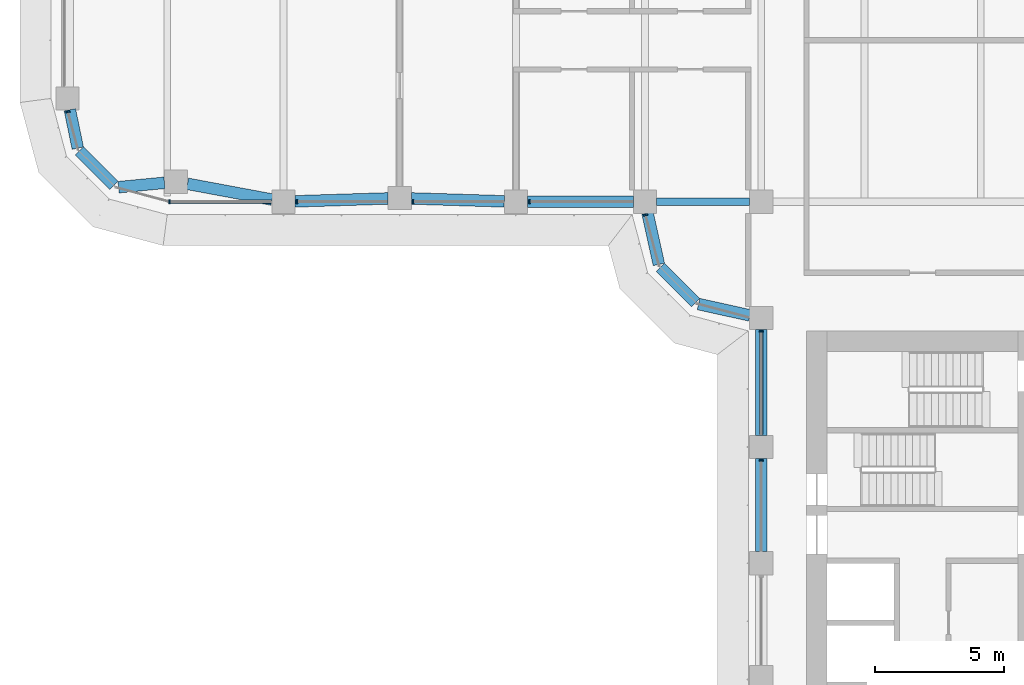
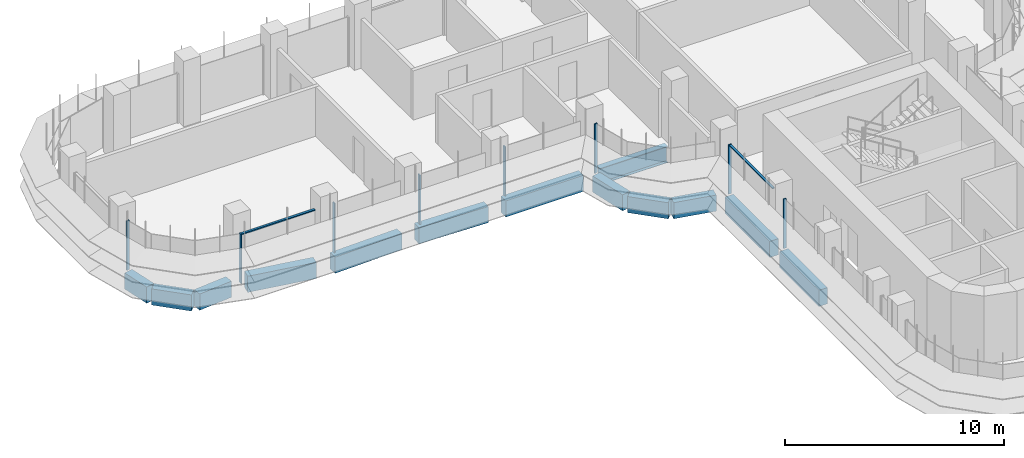
# One storey, part 3 of 21: 13 beams, 10 members, 4 elements without a shape of their own.
"""IFC4 building model written with IfcOpenShell, lengths in metres."""

from ifc_helpers import new_model, si_unit, direction, frame, origin, origin_2d, place, context, subcontext, project, spatial, polyline, rectangle, i_section, outline, extrude, source, transform, mapped, material, material_profile, profile_set, type_object, element, aggregate, save


model = new_model("IFC4")

# Units and contexts
model_context = context("Model", 3, precision=1e-05, world=origin(), true_north=direction((0.0, 1.0)))
body_context = subcontext(model_context, "Body", "Model", "MODEL_VIEW")
ifc_project = project(units=[si_unit("LENGTHUNIT", "METRE"), si_unit("AREAUNIT", "SQUARE_METRE"), si_unit("VOLUMEUNIT", "CUBIC_METRE"), si_unit("PLANEANGLEUNIT", "RADIAN"), si_unit("MASSUNIT", "GRAM", prefix="KILO")], contexts=[model_context])

# Site, building, storey
site_placement = place(None, origin())
site = spatial("IfcSite", under=ifc_project, at=site_placement, CompositionType="ELEMENT")
building_placement = place(site_placement, origin())
building = spatial("IfcBuilding", under=site, at=building_placement, Name="Zarbagh Exchange Tower", CompositionType="ELEMENT")
storey_placement = place(building_placement, frame((0.0, 0.0, 117.0)))
storey = spatial("IfcBuildingStorey", under=building, at=storey_placement, Name="L27", CompositionType="ELEMENT", Elevation=117.0)

# Beams
ifc_material_1 = material(Name="Steel ASTM A992 Gr 50", Category="steel")
ifc_material_profile_1 = material_profile(ifc_material_1, i_section(OverallWidth=0.3046875, OverallDepth=0.911865234375, WebThickness=0.015869140625, FlangeThickness=0.02392578125, at=origin_2d()), Name="W36X150")
ifc_profile_set_1 = profile_set([ifc_material_profile_1], Name="Steel ASTM A992 Gr 50")
beam_type_1 = type_object("IfcBeamType", Name="Floor girder W36X150", PredefinedType="BEAM", material=ifc_profile_set_1)
beam_1_placement = place(storey_placement, frame((-10.300048828125, -6.25, -0.60595703125), z_axis=(1.0, 0.0, 0.0), x_axis=(0.0, 1.0, 0.0)))
element("IfcBeam", 1, at=beam_1_placement, inside=storey, type_object=beam_type_1, Name="Steel girder", PredefinedType="BEAM", context=body_context, shape_type="SweptSolid", body=[
    extrude(i_section(OverallWidth=0.3046875, OverallDepth=0.911865234375, WebThickness=0.015869140625, FlangeThickness=0.02392578125, at=origin_2d()), origin(), (0.0, 0.0, 1.0), 3.60009765625),
])
ifc_material_2 = material(Name="Concrete C60/75", Category="concrete")
ifc_material_profile_2 = material_profile(ifc_material_2, rectangle(XDim=0.449951171875, YDim=0.89990234375, at=origin_2d()), Name="RC spandrel beam 450 x 900 C60/75")
ifc_profile_set_2 = profile_set([ifc_material_profile_2], Name="Concrete C60/75")
beam_type_2 = type_object("IfcBeamType", Name="RC spandrel beam 450 x 900 C60/75", PredefinedType="SPANDREL", material=ifc_profile_set_2)
beam_2_placement = place(storey_placement, frame((-6.25, -19.800048828125, -0.60009765625), z_axis=(0.0, 1.0, 0.0), x_axis=(-1.0, 0.0, 0.0)))
element("IfcBeam", 2, at=beam_2_placement, inside=storey, type_object=beam_type_2, Name="RC spandrel beam", PredefinedType="SPANDREL", context=body_context, shape_type="SweptSolid", body=[
    extrude(rectangle(XDim=0.449951171875, YDim=0.89990234375, at=origin_2d()), origin(), (0.0, 0.0, 1.0), 3.60009765625),
])
beam_3_placement = place(storey_placement, frame((-6.25, -15.300048828125, -0.60009765625), z_axis=(0.0, 1.0, 0.0), x_axis=(-1.0, 0.0, 0.0)))
element("IfcBeam", 3, at=beam_3_placement, inside=storey, type_object=beam_type_2, Name="RC spandrel beam", PredefinedType="SPANDREL", context=body_context, shape_type="SweptSolid", body=[
    extrude(rectangle(XDim=0.449951171875, YDim=0.89990234375, at=origin_2d()), origin(), (0.0, 0.0, 1.0), 4.10009765625),
])
beam_4_placement = place(storey_placement, frame((-6.689453125, -10.65283203125, -0.60009765625), z_axis=(-0.976367325525, 0.216117666208, 0.0), x_axis=(-0.216117666208, -0.976367325525, 0.0)))
element("IfcBeam", 4, at=beam_4_placement, inside=storey, type_object=beam_type_2, Name="RC spandrel beam", PredefinedType="SPANDREL", context=body_context, shape_type="SweptSolid", body=[
    extrude(rectangle(XDim=0.449951171875, YDim=0.89990234375, at=origin_2d()), origin(), (0.0, 0.0, 1.0), 2.03564453125),
])
beam_5_placement = place(storey_placement, frame((-8.78759765625, -10.15234375, -0.60009765625), z_axis=(-0.707106781187, 0.707106781187, 0.0), x_axis=(-0.707106781187, -0.707106781187, 0.0)))
element("IfcBeam", 5, at=beam_5_placement, inside=storey, type_object=beam_type_2, Name="RC spandrel beam", PredefinedType="SPANDREL", context=body_context, shape_type="SweptSolid", body=[
    extrude(rectangle(XDim=0.449951171875, YDim=0.89990234375, at=origin_2d()), origin(), (0.0, 0.0, 1.0), 1.929931640625),
])
beam_6_placement = place(storey_placement, frame((-10.212890625, -8.677001953125, -0.60009765625), z_axis=(-0.216117666208, 0.976367325525, 0.0), x_axis=(-0.976367325525, -0.216117666208, 0.0)))
element("IfcBeam", 6, at=beam_6_placement, inside=storey, type_object=beam_type_2, Name="RC spandrel beam", PredefinedType="SPANDREL", context=body_context, shape_type="SweptSolid", body=[
    extrude(rectangle(XDim=0.449951171875, YDim=0.89990234375, at=origin_2d()), origin(), (0.0, 0.0, 1.0), 2.03564453125),
])
beam_7_placement = place(storey_placement, frame((-11.199951171875, -6.25, -0.60009765625), z_axis=(-1.0, 0.0, 0.0), x_axis=(0.0, -1.0, 0.0)))
element("IfcBeam", 7, at=beam_7_placement, inside=storey, type_object=beam_type_2, Name="RC spandrel beam", PredefinedType="SPANDREL", context=body_context, shape_type="SweptSolid", body=[
    extrude(rectangle(XDim=0.449951171875, YDim=0.89990234375, at=origin_2d()), origin(), (0.0, 0.0, 1.0), 4.10009765625),
])
for number, where, z_axis, x_axis, name in (
    (8, (-16.19970703125, -6.236083984375, -0.60009765625), (-0.999516035224, 0.031107801747, 0.0), (-0.031107801747, -0.999516035224, 0.0), "RC spandrel beam"),
    (9, (-20.69970703125, -6.1240234375, -0.60009765625), (-0.999516035224, -0.031107801747, 0.0), (0.031107801747, -0.999516035224, 0.0), "RC spandrel beam"),
):
    element("IfcBeam", number, at=place(storey_placement, frame(where, z_axis=z_axis, x_axis=x_axis)), inside=storey, type_object=beam_type_2, Name=name, PredefinedType="SPANDREL", context=body_context, shape_type="SweptSolid", body=[
        extrude(rectangle(XDim=0.449951171875, YDim=0.89990234375, at=origin_2d()), origin(), (0.0, 0.0, 1.0), 3.602294921875),
    ])
beam_8_placement = place(storey_placement, frame((-25.1923828125, -6.16748046875, -0.60009765625), z_axis=(-0.98308156541, 0.183168326277, 0.0), x_axis=(-0.183168326277, -0.98308156541, 0.0)))
element("IfcBeam", 10, at=beam_8_placement, inside=storey, type_object=beam_type_2, Name="RC spandrel beam", PredefinedType="SPANDREL", context=body_context, shape_type="SweptSolid", body=[
    extrude(rectangle(XDim=0.449951171875, YDim=0.89990234375, at=origin_2d()), origin(), (0.0, 0.0, 1.0), 3.32958984375),
])
beam_9_placement = place(storey_placement, frame((-29.35595703125, -5.51806640625, -0.60009765625), z_axis=(-0.995433267802, -0.095459988228, 0.0), x_axis=(0.095459988228, -0.995433267802, 0.0)))
element("IfcBeam", 11, at=beam_9_placement, inside=storey, type_object=beam_type_2, Name="RC spandrel beam", PredefinedType="SPANDREL", context=body_context, shape_type="SweptSolid", body=[
    extrude(rectangle(XDim=0.449951171875, YDim=0.89990234375, at=origin_2d()), origin(), (0.0, 0.0, 1.0), 1.78759765625),
])
beam_10_placement = place(storey_placement, frame((-31.316162109375, -5.623779296875, -0.60009765625), z_axis=(-0.707106781187, 0.707106781187, 0.0), x_axis=(-0.707106781187, -0.707106781187, 0.0)))
element("IfcBeam", 12, at=beam_10_placement, inside=storey, type_object=beam_type_2, Name="RC spandrel beam", PredefinedType="SPANDREL", context=body_context, shape_type="SweptSolid", body=[
    extrude(rectangle(XDim=0.449951171875, YDim=0.89990234375, at=origin_2d()), origin(), (0.0, 0.0, 1.0), 1.887939453125),
])
beam_11_placement = place(storey_placement, frame((-32.71240234375, -4.17529296875, -0.60009765625), z_axis=(-0.202275417995, 0.979328675816, 0.0), x_axis=(-0.979328675816, -0.202275417995, 0.0)))
element("IfcBeam", 13, at=beam_11_placement, inside=storey, type_object=beam_type_2, Name="RC spandrel beam", PredefinedType="SPANDREL", context=body_context, shape_type="SweptSolid", body=[
    extrude(rectangle(XDim=0.449951171875, YDim=0.89990234375, at=origin_2d()), origin(), (0.0, 0.0, 1.0), 1.515869140625),
])

# Curtain wall, member
ifc_material_3 = material(Name="Anodised aluminium frame and glazing", Category="aluminium")
curtain_wall_type = type_object("IfcCurtainWallType", Name="CWA Ribbon glazing, lower zones", PredefinedType="NOTDEFINED", material=ifc_material_3)
curtain_wall_1_placement = place(storey_placement, origin())
curtain_wall_1 = element("IfcCurtainWall", 14, at=curtain_wall_1_placement, inside=storey, type_object=curtain_wall_type, Name="CWA37 curtain wall", PredefinedType="NOTDEFINED")
ifc_material_4 = material(Name="Anodised aluminium frame", Category="aluminium")
member_type_1 = type_object("IfcMemberType", Name="MUA Mullion, anodised aluminium frame", PredefinedType="MULLION", material=ifc_material_4)
shared_shape_1 = source(origin(), body_context, "Body", "SweptSolid", [
    extrude(outline(polyline([(0.0, -0.080078125), (0.06005859375, -0.080078125), (0.06005859375, 0.080078125), (0.0, 0.080078125), (0.0, -0.080078125)])), origin(), (0.0, 0.0, 1.0), 2.75),
])
placement = place(storey_placement, origin())
member_1 = element("IfcMember", 15, at=placement, type_object=member_type_1, Name="CWA37 mullion 1.1", PredefinedType="MULLION", context=body_context, shape_type="MappedRepresentation", body=[
    mapped(shared_shape_1, transform((-33.10107421875, -2.739990234375, 0.0), x_axis=(0.258824779902, -0.965924289636, 0.0), y_axis=(0.965924289636, 0.258824779902, 0.0), z_axis=(0.0, 0.0, 1.0))),
])
aggregate(curtain_wall_1, [member_1])

# Curtain wall, members
curtain_wall_2_placement = place(storey_placement, origin())
curtain_wall_2 = element("IfcCurtainWall", 16, at=curtain_wall_2_placement, inside=storey, type_object=curtain_wall_type, Name="CWA40 curtain wall", PredefinedType="NOTDEFINED")
member_2 = element("IfcMember", 17, at=placement, type_object=member_type_1, Name="CWA40 mullion 1.1", PredefinedType="MULLION", context=body_context, shape_type="MappedRepresentation", body=[
    mapped(shared_shape_1, transform((-29.18408203125, -6.25, 0.0), x_axis=(1.0, 0.0, 0.0), y_axis=(0.0, 1.0, 0.0), z_axis=(0.0, 0.0, 1.0))),
])
member_3 = element("IfcMember", 18, at=placement, type_object=member_type_1, Name="CWA40 mullion 2.1", PredefinedType="MULLION", context=body_context, shape_type="MappedRepresentation", body=[
    mapped(shared_shape_1, transform((-24.260009765625, -6.25, 0.0), x_axis=(1.0, 0.0, 0.0), y_axis=(0.0, 1.0, 0.0), z_axis=(0.0, 0.0, 1.0))),
])
member_4 = element("IfcMember", 19, at=placement, type_object=member_type_1, Name="CWA40 mullion 3.1", PredefinedType="MULLION", context=body_context, shape_type="MappedRepresentation", body=[
    mapped(shared_shape_1, transform((-19.760009765625, -6.25, 0.0), x_axis=(1.0, 0.0, 0.0), y_axis=(0.0, 1.0, 0.0), z_axis=(0.0, 0.0, 1.0))),
])
member_5 = element("IfcMember", 20, at=placement, type_object=member_type_1, Name="CWA40 mullion 4.1", PredefinedType="MULLION", context=body_context, shape_type="MappedRepresentation", body=[
    mapped(shared_shape_1, transform((-15.260009765625, -6.25, 0.0), x_axis=(1.0, 0.0, 0.0), y_axis=(0.0, 1.0, 0.0), z_axis=(0.0, 0.0, 1.0))),
])

# Curtain wall, member
curtain_wall_3_placement = place(storey_placement, origin())
curtain_wall_3 = element("IfcCurtainWall", 21, at=curtain_wall_3_placement, inside=storey, type_object=curtain_wall_type, Name="CWA41 curtain wall", PredefinedType="NOTDEFINED")
member_6 = element("IfcMember", 22, at=placement, type_object=member_type_1, Name="CWA41 mullion 1.1", PredefinedType="MULLION", context=body_context, shape_type="MappedRepresentation", body=[
    mapped(shared_shape_1, transform((-10.735107421875, -6.739990234375, 0.0), x_axis=(0.258824779902, -0.965924289636, 0.0), y_axis=(0.965924289636, 0.258824779902, 0.0), z_axis=(0.0, 0.0, 1.0))),
])
aggregate(curtain_wall_3, [member_6])

# Curtain wall, members
curtain_wall_4_placement = place(storey_placement, origin())
curtain_wall_4 = element("IfcCurtainWall", 23, at=curtain_wall_4_placement, inside=storey, type_object=curtain_wall_type, Name="CWA44 curtain wall", PredefinedType="NOTDEFINED")
member_7 = element("IfcMember", 24, at=placement, type_object=member_type_1, Name="CWA44 mullion 1.1", PredefinedType="MULLION", context=body_context, shape_type="MappedRepresentation", body=[
    mapped(shared_shape_1, transform((-6.25, -11.239990234375, 0.0), x_axis=(0.0, -1.0, 0.0), y_axis=(1.0, 0.0, 0.0), z_axis=(0.0, 0.0, 1.0))),
])
member_8 = element("IfcMember", 25, at=placement, type_object=member_type_1, Name="CWA44 mullion 2.1", PredefinedType="MULLION", context=body_context, shape_type="MappedRepresentation", body=[
    mapped(shared_shape_1, transform((-6.25, -16.239990234375, 0.0), x_axis=(0.0, -1.0, 0.0), y_axis=(1.0, 0.0, 0.0), z_axis=(0.0, 0.0, 1.0))),
])
member_type_2 = type_object("IfcMemberType", Name="TRA Transom, anodised aluminium frame", PredefinedType="USERDEFINED", material=ifc_material_4)
shared_shape_2 = source(origin(), body_context, "Body", "SweptSolid", [
    extrude(outline(polyline([(-0.06005859375, -0.06005859375), (0.0, -0.06005859375), (0.0, 0.06005859375), (-0.06005859375, 0.06005859375), (-0.06005859375, -0.06005859375)])), origin(), (0.0, 0.0, 1.0), 3.9599609375),
])
member_9 = element("IfcMember", 26, at=placement, type_object=member_type_2, Name="CWA44 transom 1.1", ObjectType="TRANSOM", PredefinedType="USERDEFINED", context=body_context, shape_type="MappedRepresentation", body=[
    mapped(shared_shape_2, transform((-6.25, -11.300048828125, 2.75), x_axis=(0.0, 0.0, 1.0), y_axis=(-1.0, 0.0, 0.0), z_axis=(0.0, -1.0, 0.0))),
])
aggregate(curtain_wall_4, [member_7, member_9, member_8])

# Member
shared_shape_3 = source(origin(), body_context, "Body", "SweptSolid", [
    extrude(outline(polyline([(-0.06005859375, -0.06005859375), (0.0, -0.06005859375), (0.0, 0.06005859375), (-0.06005859375, 0.06005859375), (-0.06005859375, -0.06005859375)])), origin(), (0.0, 0.0, 1.0), 3.88427734375),
])
member_10 = element("IfcMember", 27, at=placement, type_object=member_type_2, Name="CWA40 transom 1.1", ObjectType="TRANSOM", PredefinedType="USERDEFINED", context=body_context, shape_type="MappedRepresentation", body=[
    mapped(shared_shape_3, transform((-29.124267578125, -6.25, 2.75), x_axis=(0.0, 0.0, 1.0), y_axis=(0.0, -1.0, 0.0), z_axis=(1.0, 0.0, 0.0))),
])

aggregate(curtain_wall_2, [member_2, member_10, member_3, member_4, member_5])

save(model, "model.ifc")
